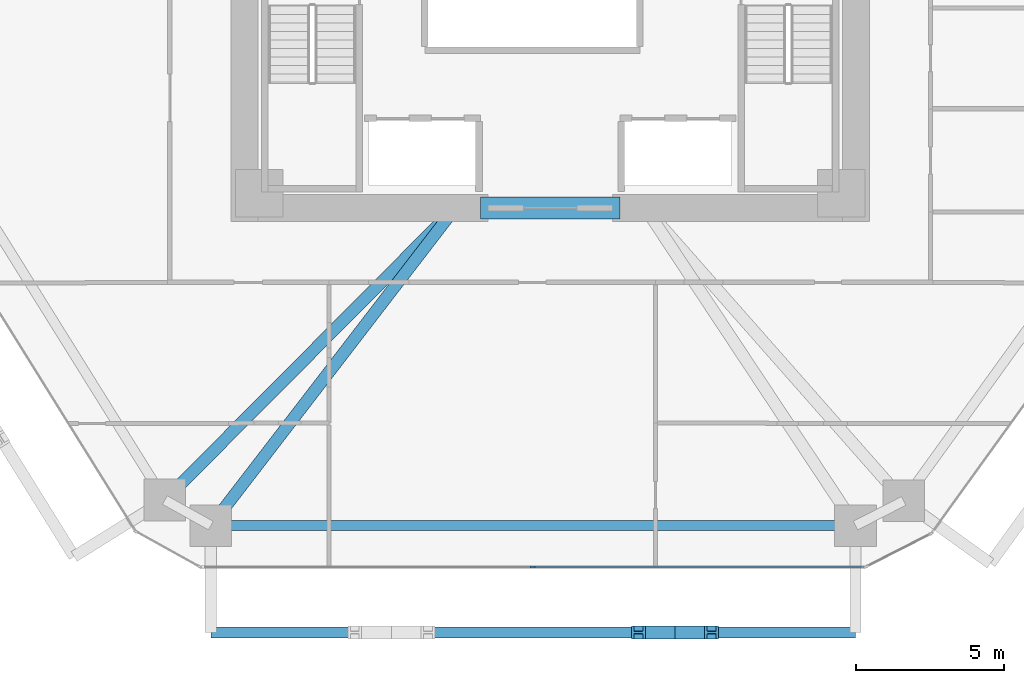
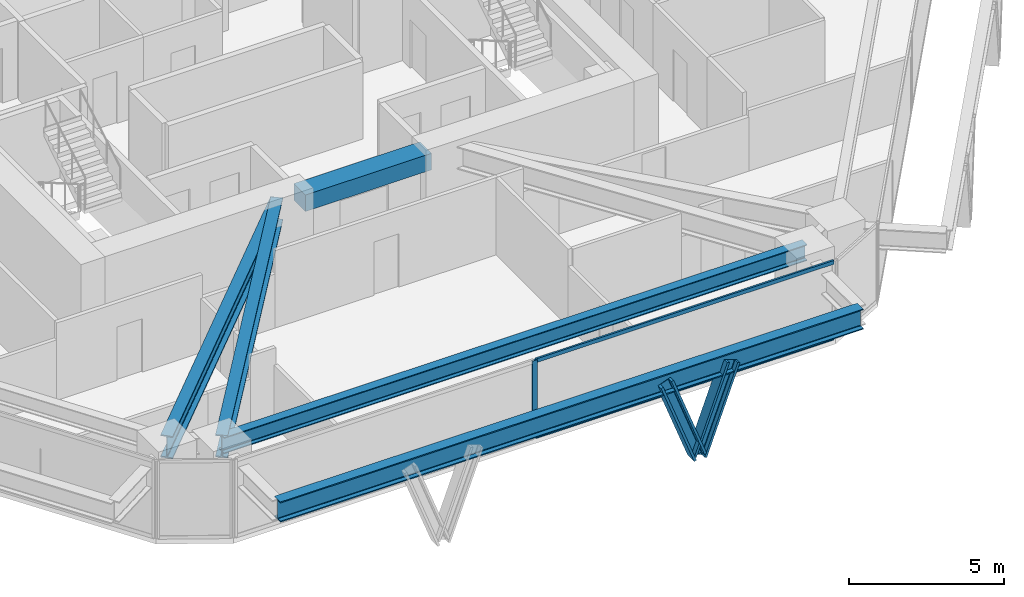
# One storey, part 3 of 14: 5 beams, 5 members, 1 element without a shape of its own.
"""IFC4 building model written with IfcOpenShell, lengths in metres."""

from ifc_helpers import new_model, si_unit, direction, frame, origin, origin_2d, place, context, subcontext, project, spatial, rectangle, i_section, extrude, source, transform, mapped, material, layer, layer_set, material_profile, profile_set, type_object, type_shapes, element, aggregate, save


model = new_model("IFC4")

# Units and contexts
model_context = context("Model", 3, precision=1e-05, world=origin(), true_north=direction((0.0, 1.0)))
body_context = subcontext(model_context, "Body", "Model", "MODEL_VIEW")
ifc_project = project(units=[si_unit("LENGTHUNIT", "METRE"), si_unit("AREAUNIT", "SQUARE_METRE"), si_unit("VOLUMEUNIT", "CUBIC_METRE"), si_unit("PLANEANGLEUNIT", "RADIAN"), si_unit("MASSUNIT", "GRAM", prefix="KILO")], contexts=[model_context])

# Site, building, storey
site_placement = place(None, origin())
site = spatial("IfcSite", under=ifc_project, at=site_placement, CompositionType="ELEMENT")
building_placement = place(site_placement, origin())
building = spatial("IfcBuilding", under=site, at=building_placement, Name="Durnholm Broadcast Tower", CompositionType="ELEMENT")
storey_placement = place(building_placement, frame((0.0, 0.0, 48.89990234375)))
storey = spatial("IfcBuildingStorey", under=building, at=storey_placement, Name="L11", CompositionType="ELEMENT", Elevation=48.89990234375)

# Beams
ifc_material_1 = material(Name="Concrete C70/85", Category="concrete")
ifc_material_profile_1 = material_profile(ifc_material_1, rectangle(XDim=0.75, YDim=0.64990234375, at=origin_2d()), Name="RC750X650")
ifc_profile_set_1 = profile_set([ifc_material_profile_1], Name="Concrete C70/85")
beam_type_1 = type_object("IfcBeamType", Name="BM-CB-RC650", PredefinedType="LINTEL", material=ifc_profile_set_1)
shared_shape_1 = source(origin(), body_context, "Body", "SweptSolid", [
    extrude(rectangle(XDim=0.75, YDim=0.64990234375, at=origin_2d()), origin(), (0.0, 0.0, 1.0), 4.7001953125),
])
type_shapes(beam_type_1, [shared_shape_1])
beam_1_placement = place(storey_placement, frame((-2.35009765625, -8.300048828125, 2.72998046875), z_axis=(1.0, 0.0, 0.0), x_axis=(0.0, 1.0, 0.0)))
element("IfcBeam", 1, at=beam_1_placement, inside=storey, type_object=beam_type_1, Name="L11 south core coupling lintel beam CB-S", PredefinedType="LINTEL", context=body_context, shape_type="MappedRepresentation", body=[
    mapped(shared_shape_1, transform((0.0, 0.0, 0.0), x_axis=(1.0, 0.0, 0.0), y_axis=(0.0, 1.0, 0.0), z_axis=(0.0, 0.0, 1.0), scale=1.0)),
])
ifc_material_2 = material(Name="Steel ASTM A992 Grade 50", Category="steel")
ifc_material_profile_2 = material_profile(ifc_material_2, i_section(OverallWidth=0.3291015625, OverallDepth=0.635009765625, WebThickness=0.017822265625, FlangeThickness=0.031005859375, FilletRadius=0.02783203125, at=origin_2d()), Name="W24X162")
ifc_profile_set_2 = profile_set([ifc_material_profile_2], Name="Steel ASTM A992 Grade 50")
beam_type_2 = type_object("IfcBeamType", Name="STL-SP-W24X162", PredefinedType="SPANDREL", material=ifc_profile_set_2)
shared_shape_2 = source(origin(), body_context, "Body", "SweptSolid", [
    extrude(i_section(OverallWidth=0.3291015625, OverallDepth=0.635009765625, WebThickness=0.017822265625, FlangeThickness=0.031005859375, FilletRadius=0.02783203125, at=origin_2d()), origin(), (0.0, 0.0, 1.0), 21.7138671875),
])
type_shapes(beam_type_2, [shared_shape_2])
beam_2_placement = place(storey_placement, frame((10.28271484375, -19.0, 2.7275390625), z_axis=(-1.0, 0.0, 0.0), x_axis=(0.0, -1.0, 0.0)))
element("IfcBeam", 2, at=beam_2_placement, inside=storey, type_object=beam_type_2, Name="L11 perimeter spandrel girder 11", PredefinedType="SPANDREL", context=body_context, shape_type="MappedRepresentation", body=[
    mapped(shared_shape_2, transform((0.0, 0.0, 0.0), x_axis=(1.0, 0.0, 0.0), y_axis=(0.0, 1.0, 0.0), z_axis=(0.0, 0.0, 1.0), scale=1.0)),
])
ifc_material_profile_3 = material_profile(ifc_material_2, i_section(OverallWidth=0.404052734375, OverallDepth=0.885009765625, WebThickness=0.0244140625, FlangeThickness=0.0439453125, FilletRadius=0.03564453125, at=origin_2d()), Name="W33X291")
ifc_profile_set_3 = profile_set([ifc_material_profile_3], Name="Steel ASTM A992 Grade 50")
beam_type_3 = type_object("IfcBeamType", Name="STL-GR-W33X291", PredefinedType="USERDEFINED", material=ifc_profile_set_3)
shared_shape_3 = source(origin(), body_context, "Body", "SweptSolid", [
    extrude(i_section(OverallWidth=0.404052734375, OverallDepth=0.885009765625, WebThickness=0.0244140625, FlangeThickness=0.0439453125, FilletRadius=0.03564453125, at=origin_2d()), origin(), (0.0, 0.0, 1.0), 13.874267578125),
])
beam_3_placement = place(storey_placement, frame((-3.199951171875, -8.300048828125, 2.6025390625), z_axis=(-0.705097917174, -0.709109954237, 0.0), x_axis=(0.709109954237, -0.705097917174, 0.0)))
element("IfcBeam", 3, at=beam_3_placement, inside=storey, type_object=beam_type_3, Name="L11 radial primary floor girder 01", ObjectType="GIRDER", PredefinedType="USERDEFINED", context=body_context, shape_type="MappedRepresentation", body=[
    mapped(shared_shape_3, transform((0.0, 0.0, 0.0), x_axis=(1.0, 0.0, 0.0), y_axis=(0.0, 1.0, 0.0), z_axis=(0.0, 0.0, 1.0), scale=1.0)),
])
shared_shape_4 = source(origin(), body_context, "Body", "SweptSolid", [
    extrude(i_section(OverallWidth=0.404052734375, OverallDepth=0.885009765625, WebThickness=0.0244140625, FlangeThickness=0.0439453125, FilletRadius=0.03564453125, at=origin_2d()), origin(), (0.0, 0.0, 1.0), 13.499755859375),
])
type_shapes(beam_type_3, [shared_shape_3, shared_shape_4])
beam_4_placement = place(storey_placement, frame((-3.199951171875, -8.300048828125, 2.6025390625), z_axis=(-0.609732610412, -0.79260718127, 0.0), x_axis=(0.79260718127, -0.609732610412, 0.0)))
element("IfcBeam", 4, at=beam_4_placement, inside=storey, type_object=beam_type_3, Name="L11 radial primary floor girder 12", ObjectType="GIRDER", PredefinedType="USERDEFINED", context=body_context, shape_type="MappedRepresentation", body=[
    mapped(shared_shape_4, transform((0.0, 0.0, 0.0), x_axis=(1.0, 0.0, 0.0), y_axis=(0.0, 1.0, 0.0), z_axis=(0.0, 0.0, 1.0), scale=1.0)),
])
ifc_material_profile_4 = material_profile(ifc_material_2, i_section(OverallWidth=0.385009765625, OverallDepth=0.802978515625, WebThickness=0.023681640625, FlangeThickness=0.0419921875, FilletRadius=0.032958984375, at=origin_2d()), Name="W30X261")
ifc_profile_set_4 = profile_set([ifc_material_profile_4], Name="Steel ASTM A992 Grade 50")
beam_type_4 = type_object("IfcBeamType", Name="BM-EXO-TIE", PredefinedType="USERDEFINED", material=ifc_profile_set_4)
shared_shape_5 = source(origin(), body_context, "Body", "SweptSolid", [
    extrude(i_section(OverallWidth=0.385009765625, OverallDepth=0.802978515625, WebThickness=0.023681640625, FlangeThickness=0.0419921875, FilletRadius=0.032958984375, at=origin_2d()), origin(), (0.0, 0.0, 1.0), 21.7138671875),
])
type_shapes(beam_type_4, [shared_shape_5])
beam_5_placement = place(storey_placement, frame((-11.43115234375, -22.60009765625, 2.30859375), z_axis=(1.0, 0.0, 0.0), x_axis=(0.0, 1.0, 0.0)))
element("IfcBeam", 5, at=beam_5_placement, inside=storey, type_object=beam_type_4, Name="L11 exoskeleton collector spandrel F1", PredefinedType="SPANDREL", context=body_context, shape_type="MappedRepresentation", body=[
    mapped(shared_shape_5, transform((0.0, 0.0, 0.0), x_axis=(1.0, 0.0, 0.0), y_axis=(0.0, 1.0, 0.0), z_axis=(0.0, 0.0, 1.0), scale=1.0)),
])

# Members
ifc_material_3 = material(Name="Steel ASTM A913 Grade 65", Category="steel")
ifc_material_profile_5 = material_profile(ifc_material_3, i_section(OverallWidth=0.43212890625, OverallDepth=0.497802734375, WebThickness=0.0556640625, FlangeThickness=0.0888671875, FilletRadius=0.030517578125, at=origin_2d()), Name="W14X500")
ifc_profile_set_5 = profile_set([ifc_material_profile_5], Name="Steel ASTM A913 Grade 65")
member_type_1 = type_object("IfcMemberType", Name="STL-DG-W14X500", PredefinedType="BRACE", material=ifc_profile_set_5)
shared_shape_6 = source(origin(), body_context, "Body", "SweptSolid", [
    extrude(i_section(OverallWidth=0.43212890625, OverallDepth=0.497802734375, WebThickness=0.0556640625, FlangeThickness=0.0888671875, FilletRadius=0.030517578125, at=origin_2d()), origin(), (0.0, 0.0, 1.0), 3.523193359375),
])
type_shapes(member_type_1, [shared_shape_6])
for number, where, z_axis, x_axis, name in (
    (6, (4.202880859375, -22.60009765625, -0.991455078125), (-0.350219588454, 0.0, 0.936667625075), (0.0, -1.0, 0.0), "L11 stand-off diagrid brace F1.D2.1"),
    (7, (4.202880859375, -22.60009765625, -0.991455078125), (0.350219588454, 0.0, 0.936667625075), (0.0, 1.0, 0.0), "L11 stand-off diagrid brace F1.D2.2"),
):
    element("IfcMember", number, at=place(storey_placement, frame(where, z_axis=z_axis, x_axis=x_axis)), inside=storey, type_object=member_type_1, Name=name, PredefinedType="BRACE", context=body_context, shape_type="MappedRepresentation", body=[
        mapped(shared_shape_6, transform((0.0, 0.0, 0.0), x_axis=(1.0, 0.0, 0.0), y_axis=(0.0, 1.0, 0.0), z_axis=(0.0, 0.0, 1.0), scale=1.0)),
    ])

# Curtain wall, members
ifc_material_4 = material(Name="Aluminium and Solar Control IGU", Category="aluminium")
ifc_layer = layer(ifc_material_4, 0.18994140625)
ifc_layer_set = layer_set([ifc_layer], Name="Aluminium and Solar Control IGU")
curtain_wall_type = type_object("IfcCurtainWallType", Name="CW-SYS-3", PredefinedType="NOTDEFINED", material=ifc_layer_set)
curtain_wall_placement = place(storey_placement, origin())
curtain_wall = element("IfcCurtainWall", 8, at=curtain_wall_placement, inside=storey, type_object=curtain_wall_type, Name="L11 curtain wall CW-Z12-VIS CW-L11-F10", PredefinedType="NOTDEFINED")
ifc_material_5 = material(Name="Aluminium 6063-T6", Category="aluminium")
ifc_material_profile_6 = material_profile(ifc_material_5, rectangle(XDim=0.070068359375, YDim=0.18994140625, at=origin_2d()), Name="CWM70X190")
ifc_profile_set_6 = profile_set([ifc_material_profile_6], Name="Aluminium 6063-T6")
member_type_2 = type_object("IfcMemberType", Name="CW-SYS-3-MUL", PredefinedType="MULLION", material=ifc_profile_set_6)
shared_shape_7 = source(origin(), body_context, "Body", "SweptSolid", [
    extrude(rectangle(XDim=0.070068359375, YDim=0.18994140625, at=origin_2d()), origin(), (0.0, 0.0, 1.0), 3.06005859375),
])
type_shapes(member_type_2, [shared_shape_7])
member_1_placement = place(storey_placement, frame((-0.5869140625, -20.39990234375, 0.0), z_axis=(0.0, 0.0, 1.0), x_axis=(0.0, -1.0, 0.0)))
member_1 = element("IfcMember", 9, at=member_1_placement, type_object=member_type_2, Name="CW-Z12-VIS mullion 2", PredefinedType="MULLION", context=body_context, shape_type="MappedRepresentation", body=[
    mapped(shared_shape_7, transform((0.0, 0.0, 0.0), x_axis=(1.0, 0.0, 0.0), y_axis=(0.0, 1.0, 0.0), z_axis=(0.0, 0.0, 1.0), scale=1.0)),
])
ifc_material_profile_7 = material_profile(ifc_material_5, rectangle(XDim=0.070068359375, YDim=0.14990234375, at=origin_2d()), Name="CWT70X150")
ifc_profile_set_7 = profile_set([ifc_material_profile_7], Name="Aluminium 6063-T6")
member_type_3 = type_object("IfcMemberType", Name="CW-SYS-3-TRN", PredefinedType="USERDEFINED", material=ifc_profile_set_7)
shared_shape_8 = source(origin(), body_context, "Body", "SweptSolid", [
    extrude(rectangle(XDim=0.070068359375, YDim=0.14990234375, at=origin_2d()), origin(), (0.0, 0.0, 1.0), 11.10205078125),
])
type_shapes(member_type_3, [shared_shape_8])
member_2_placement = place(storey_placement, frame((10.55029296875, -20.39990234375, 0.03515625), z_axis=(-1.0, 0.0, 0.0), x_axis=(0.0, -1.0, 0.0)))
member_2 = element("IfcMember", 10, at=member_2_placement, type_object=member_type_3, Name="CW-Z12-VIS transom 1.1", ObjectType="TRANSOM", PredefinedType="USERDEFINED", context=body_context, shape_type="MappedRepresentation", body=[
    mapped(shared_shape_8, transform((0.0, 0.0, 0.0), x_axis=(1.0, 0.0, 0.0), y_axis=(0.0, 1.0, 0.0), z_axis=(0.0, 0.0, 1.0), scale=1.0)),
])
member_3_placement = place(storey_placement, frame((10.55029296875, -20.39990234375, 3.025146484375), z_axis=(-1.0, 0.0, 0.0), x_axis=(0.0, -1.0, 0.0)))
member_3 = element("IfcMember", 11, at=member_3_placement, type_object=member_type_3, Name="CW-Z12-VIS transom 1.2", ObjectType="TRANSOM", PredefinedType="USERDEFINED", context=body_context, shape_type="MappedRepresentation", body=[
    mapped(shared_shape_8, transform((0.0, 0.0, 0.0), x_axis=(1.0, 0.0, 0.0), y_axis=(0.0, 1.0, 0.0), z_axis=(0.0, 0.0, 1.0), scale=1.0)),
])
aggregate(curtain_wall, [member_1, member_2, member_3])

save(model, "model.ifc")
